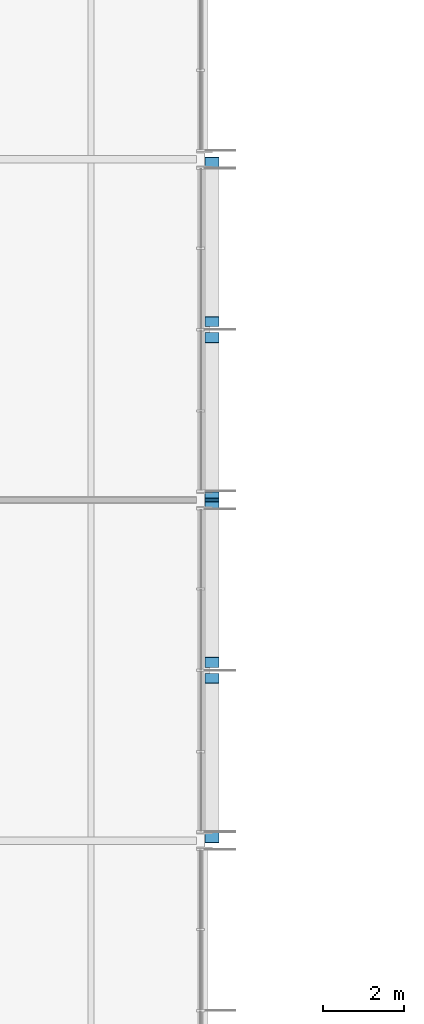
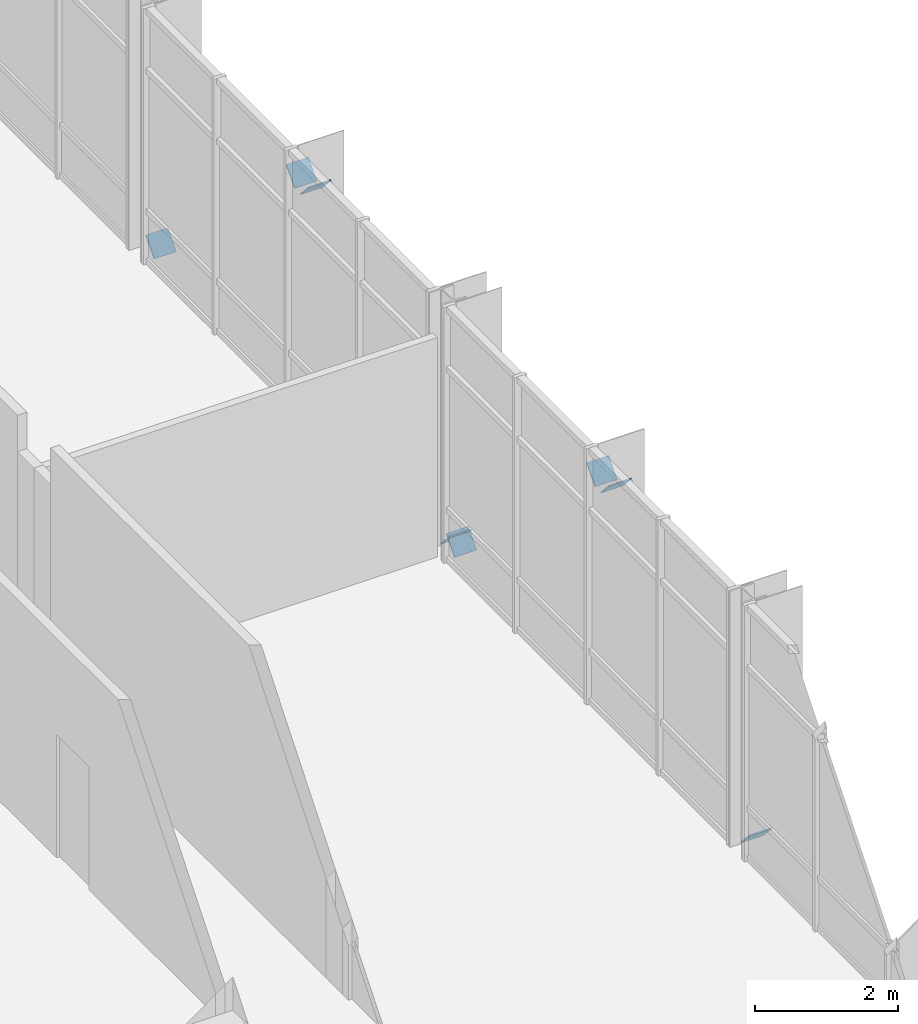
# One storey, part 59 of 76: 8 discrete accessories.
"""IFC4 building model written with IfcOpenShell, lengths in metres."""

from ifc_helpers import new_model, si_unit, direction, frame, origin, origin_2d, place, context, subcontext, project, spatial, rectangle, extrude, material, element, save


model = new_model("IFC4")

# Units and contexts
model_context = context("Model", 3, precision=1e-05, world=origin(), true_north=direction((0.0, 1.0)))
body_context = subcontext(model_context, "Body", "Model", "MODEL_VIEW")
ifc_project = project(units=[si_unit("LENGTHUNIT", "METRE"), si_unit("AREAUNIT", "SQUARE_METRE"), si_unit("VOLUMEUNIT", "CUBIC_METRE"), si_unit("PLANEANGLEUNIT", "RADIAN"), si_unit("MASSUNIT", "GRAM", prefix="KILO")], contexts=[model_context])

# Site, building, storey
site_placement = place(None, origin())
site = spatial("IfcSite", under=ifc_project, at=site_placement, CompositionType="ELEMENT")
building_placement = place(site_placement, origin())
building = spatial("IfcBuilding", under=site, at=building_placement, Name="Hlaing Beacon Police Headquarters", CompositionType="ELEMENT")
storey_placement = place(building_placement, frame((0.0, 0.0, 18.89990234375)))
storey = spatial("IfcBuildingStorey", under=building, at=storey_placement, Name="L04", CompositionType="ELEMENT", Elevation=18.89990234375)

# Discrete accessories
ifc_material = material(Name="Steel ASTM A572 Grade 50", Category="steel")
for number, where, z_axis, x_axis, name in (
    (1, (126.181884765625, 42.080322265625, 0.137939453125), (0.0, -0.738446730342, -0.674311816927), (1.0, 0.0, 0.0), "Gusset plate GP-105"),
    (2, (126.181884765625, 45.99267578125, 3.710205078125), (0.0, 0.738446730342, 0.674311816927), (-1.0, 0.0, 0.0), "Gusset plate GP-106"),
    (3, (126.181884765625, 50.319580078125, 0.137939453125), (0.0, 0.738446730342, -0.674311816927), (-1.0, 0.0, 0.0), "Gusset plate GP-107"),
    (4, (126.181884765625, 46.4072265625, 3.710205078125), (0.0, -0.738446730342, 0.674311816927), (1.0, 0.0, 0.0), "Gusset plate GP-108"),
    (5, (126.181884765625, 50.480224609375, 0.137939453125), (0.0, -0.738446730342, -0.674311816927), (1.0, 0.0, 0.0), "Gusset plate GP-109"),
    (6, (126.181884765625, 54.392578125, 3.710205078125), (0.0, 0.738446730342, 0.674311816927), (-1.0, 0.0, 0.0), "Gusset plate GP-110"),
    (7, (126.181884765625, 58.7197265625, 0.137939453125), (0.0, 0.738446730342, -0.674311816927), (-1.0, 0.0, 0.0), "Gusset plate GP-111"),
    (8, (126.181884765625, 54.807373046875, 3.710205078125), (0.0, -0.738446730342, 0.674311816927), (1.0, 0.0, 0.0), "Gusset plate GP-112"),
):
    element("IfcDiscreteAccessory", number, at=place(storey_placement, frame(where, z_axis=z_axis, x_axis=x_axis)), inside=storey, material=ifc_material, Name=name, PredefinedType="BRACKET", context=body_context, shape_type="SweptSolid", body=[
        extrude(rectangle(XDim=0.355712890625, YDim=0.355712890625, at=origin_2d()), origin(), (0.0, 0.0, 1.0), 0.02001953125),
    ])

save(model, "model.ifc")
